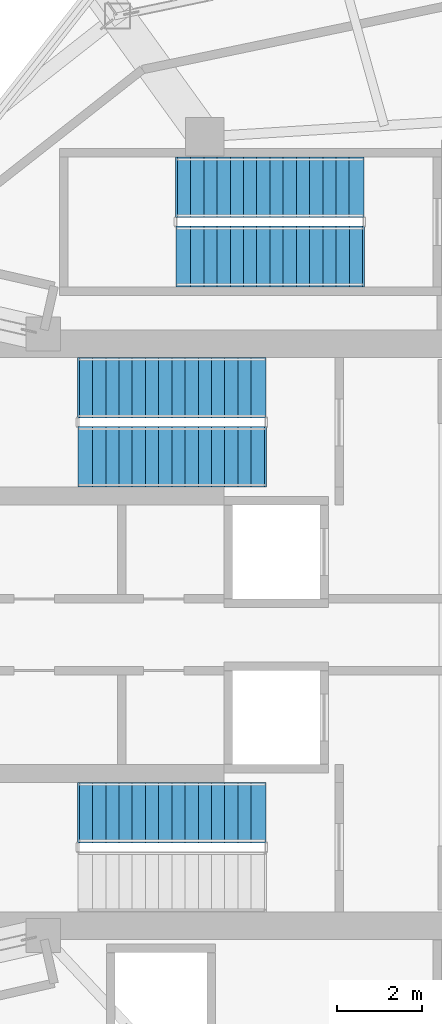
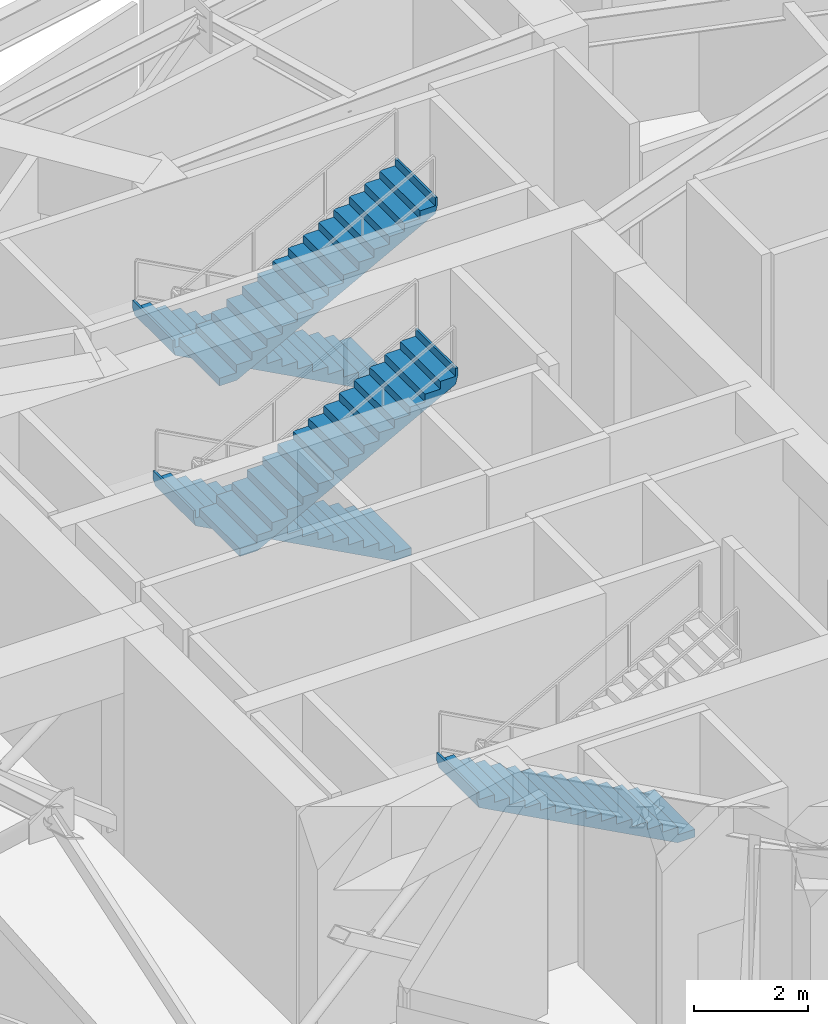
# One storey, part 11 of 13: 5 stair flights, 3 elements without a shape of their own.
"""IFC4 building model written with IfcOpenShell, lengths in metres."""

import ifcopenshell
import ifcopenshell.guid

model = None  # the IFC model being written
_history = None  # IfcOwnerHistory: only IFC2X3 demands one
_inside = {}  # id of a spatial element -> (the spatial element, [elements in it])
_under = {}  # id of a project, library or spatial element -> (it, [spatial elements below it])
_declared = {}  # id of a project -> (the project, [libraries it declares])
_typed = {}  # id of a type object -> (the type object, [elements of that type])
_made_of = {}  # id of a material, layer set ... -> (it, [elements and type objects made of it])


def new_model(schema):
    """Start an empty IFC model of exactly this schema.

    Asked for "IFC4X3", IfcOpenShell would pick the latest addendum, in which some entities
    have other attributes; the version numbers below select the first issue.
    IFC2X3 requires an IfcOwnerHistory on every rooted entity: one is made here for all.
    """
    global model, _history
    if schema == "IFC4X3":
        model = ifcopenshell.file(schema_version=(4, 3, 0, 0))
    else:
        model = ifcopenshell.file(schema=schema)
    _inside.clear()
    _under.clear()
    _declared.clear()
    _typed.clear()
    _made_of.clear()
    _history = None
    if model.schema == "IFC2X3":
        org = make("IfcOrganization", Name="unknown")
        user = make(
            "IfcPersonAndOrganization",
            ThePerson=make("IfcPerson", FamilyName="unknown"),
            TheOrganization=org,
        )
        app = make(
            "IfcApplication",
            ApplicationDeveloper=org,
            Version="unknown",
            ApplicationFullName="unknown",
            ApplicationIdentifier="unknown",
        )
        _history = make(
            "IfcOwnerHistory",
            OwningUser=user,
            OwningApplication=app,
            ChangeAction="ADDED",
            CreationDate=0,
        )
    return model


def make(cls, **values):
    """One entity of the class cls with the attributes given. An attribute that is None is left unset."""
    return model.create_entity(
        cls, **{name: value for name, value in values.items() if value is not None}
    )


def rooted(cls, **values):
    """An entity with a GlobalId (a new one), such as an element, a storey or a relation."""
    return make(cls, GlobalId=ifcopenshell.guid.new(), OwnerHistory=_history, **values)


def si_unit(unit_type, name, prefix=None):
    """IfcSIUnit, for example si_unit("LENGTHUNIT", "METRE", prefix="MILLI")."""
    return make("IfcSIUnit", UnitType=unit_type, Prefix=prefix, Name=name)


def assignment(units):
    """IfcUnitAssignment: the units of a project."""
    return None if units is None else make("IfcUnitAssignment", Units=units)


def point(xyz):
    """IfcCartesianPoint."""
    return None if xyz is None else make("IfcCartesianPoint", Coordinates=xyz)


def direction(xyz):
    """IfcDirection."""
    return None if xyz is None else make("IfcDirection", DirectionRatios=xyz)


def frame(location, z_axis=None, x_axis=None):
    """IfcAxis2Placement3D, a coordinate frame: its origin and axes. An axis left out is left unset."""
    return make(
        "IfcAxis2Placement3D",
        Location=point(location),
        Axis=direction(z_axis),
        RefDirection=direction(x_axis),
    )


def origin():
    """The frame at (0, 0, 0) with its axes left unset."""
    return frame((0.0, 0.0, 0.0))


def place(relative_to, where):
    """IfcLocalPlacement: puts the frame where relative to a parent placement (None: the world)."""
    return make(
        "IfcLocalPlacement", PlacementRelTo=relative_to, RelativePlacement=where
    )


def context(
    kind, dimensions, precision=None, world=None, true_north=None, identifier=None
):
    """IfcGeometricRepresentationContext, for example the 3D "Model" context."""
    return make(
        "IfcGeometricRepresentationContext",
        ContextIdentifier=identifier,
        ContextType=kind,
        CoordinateSpaceDimension=dimensions,
        Precision=precision,
        WorldCoordinateSystem=world,
        TrueNorth=true_north,
    )


def subcontext(parent, identifier, kind, view, scale=None):
    """IfcGeometricRepresentationSubContext, for example "Body" below "Model"."""
    return make(
        "IfcGeometricRepresentationSubContext",
        ContextIdentifier=identifier,
        ContextType=kind,
        ParentContext=parent,
        TargetScale=scale,
        TargetView=view,
    )


def project(units=None, contexts=None):
    """IfcProject with its units and contexts."""
    return rooted(
        "IfcProject",
        Name="project",
        RepresentationContexts=contexts,
        UnitsInContext=assignment(units),
    )


def spatial(cls, under=None, at=None, **own):
    """A site, building, storey or space (cls), placed at a placement, below another one or the project."""
    s = rooted(cls, ObjectPlacement=at, **own)
    if under is not None:
        _under.setdefault(under.id(), (under, []))[1].append(s)
    return s


def polyline(points):
    """IfcPolyline through the points."""
    return make("IfcPolyline", Points=[point(p) for p in points])


def outline(outer, holes=None, kind="AREA"):
    """IfcArbitraryClosedProfileDef: a profile drawn as a closed curve; with holes, ...WithVoids."""
    if holes is None:
        return make("IfcArbitraryClosedProfileDef", ProfileType=kind, OuterCurve=outer)
    return make(
        "IfcArbitraryProfileDefWithVoids",
        ProfileType=kind,
        OuterCurve=outer,
        InnerCurves=holes,
    )


def extrude(swept, where, along, depth):
    """IfcExtrudedAreaSolid: the profile swept, set in the frame where, extruded along a direction by depth."""
    return make(
        "IfcExtrudedAreaSolid",
        SweptArea=swept,
        Position=where,
        ExtrudedDirection=direction(along),
        Depth=depth,
    )


def shape(context_of_items, identifier, shape_type, items):
    """IfcShapeRepresentation: the items that make up one representation, for example the "Body"."""
    return make(
        "IfcShapeRepresentation",
        ContextOfItems=context_of_items,
        RepresentationIdentifier=identifier,
        RepresentationType=shape_type,
        Items=items,
    )


def material(Name=None, Category=None):
    """IfcMaterial."""
    return make("IfcMaterial", Name=Name, Category=Category)


def made_of(thing, what):
    """Note that an element or type object is made of a material, layer set ...; save() writes the relation."""
    if what is not None:
        _made_of.setdefault(what.id(), (what, []))[1].append(thing)
    return thing


def type_object(cls, material=None, **own):
    """A type object (cls), such as IfcWallType, which elements share."""
    return made_of(rooted(cls, **own), material)


def element(
    cls,
    number,
    at=None,
    inside=None,
    cuts=None,
    type_object=None,
    material=None,
    context=None,
    identifier="Body",
    shape_type=None,
    held_by="IfcProductDefinitionShape",
    body=None,
    shapes=None,
    **own,
):
    """One element of the class cls, such as IfcWall. Its Tag is "e" and its number.

    at: its placement. inside: the storey or other place that contains it. cuts: it is an
    opening in that element (IfcRelVoidsElement). A single representation is given by context,
    identifier, shape_type and body (its items); several are given by shapes. held_by: the class
    of the entity that holds the representations. save() writes the other relations.
    """
    e = rooted(cls, Tag="e%d" % number, ObjectPlacement=at, **own)
    if body is not None:
        shapes = [shape(context, identifier, shape_type, body)]
    if shapes is not None:
        e.Representation = make(held_by, Representations=shapes)
    if inside is not None:
        _inside.setdefault(inside.id(), (inside, []))[1].append(e)
    if cuts is not None:
        rooted(
            "IfcRelVoidsElement", RelatingBuildingElement=cuts, RelatedOpeningElement=e
        )
    if type_object is not None:
        _typed.setdefault(type_object.id(), (type_object, []))[1].append(e)
    return made_of(e, material)


def aggregate(whole, parts):
    """IfcRelAggregates: a whole, such as a stair, and the parts it consists of."""
    return rooted("IfcRelAggregates", RelatingObject=whole, RelatedObjects=parts)


def save(model, path):
    """Write the relations noted so far, then the file.

    IfcRelAggregates (storeys below a building ...), IfcRelContainedInSpatialStructure (elements
    in a storey), IfcRelDefinesByType, IfcRelAssociatesMaterial and IfcRelDeclares: one each for
    every whole, place, type object, material and project.
    """
    for whole, parts in _under.values():
        aggregate(whole, parts)
    for where, things in _inside.values():
        rooted(
            "IfcRelContainedInSpatialStructure",
            RelatedElements=things,
            RelatingStructure=where,
        )
    for kind, things in _typed.values():
        rooted("IfcRelDefinesByType", RelatedObjects=things, RelatingType=kind)
    for what, things in _made_of.values():
        rooted("IfcRelAssociatesMaterial", RelatedObjects=things, RelatingMaterial=what)
    for by, libraries in _declared.values():
        rooted("IfcRelDeclares", RelatingContext=by, RelatedDefinitions=libraries)
    model.write(path)


model = new_model("IFC4")

# Units and contexts
model_context = context("Model", 3, precision=1e-05, world=origin(), true_north=direction((0.0, 1.0)))
body_context = subcontext(model_context, "Body", "Model", "MODEL_VIEW")
ifc_project = project(units=[si_unit("LENGTHUNIT", "METRE"), si_unit("AREAUNIT", "SQUARE_METRE"), si_unit("VOLUMEUNIT", "CUBIC_METRE"), si_unit("PLANEANGLEUNIT", "RADIAN"), si_unit("MASSUNIT", "GRAM", prefix="KILO")], contexts=[model_context])

# Site, building, storey
site_placement = place(None, origin())
site = spatial("IfcSite", under=ifc_project, at=site_placement, CompositionType="ELEMENT")
building_placement = place(site_placement, origin())
building = spatial("IfcBuilding", under=site, at=building_placement, Name="Kolvaren Gate Tower and Convention Centre", CompositionType="ELEMENT")
storey_placement = place(building_placement, frame((0.0, 0.0, 186.89990234375)))
storey = spatial("IfcBuildingStorey", under=building, at=storey_placement, Name="L49", CompositionType="ELEMENT", Elevation=186.89990234375)

# Stair, stair flights
ifc_material = material(Name="Concrete C50/60", Category="concrete")
stair_type = type_object("IfcStairType", Name="STR-STAIR-CORE", PredefinedType="HALF_TURN_STAIR", material=ifc_material)
stair_1_placement = place(storey_placement, origin())
stair_1 = element("IfcStair", 1, at=stair_1_placement, inside=storey, type_object=stair_type, Name="L49 Tower North Exit Stair ST-T1", PredefinedType="HALF_TURN_STAIR")
stair_flight_type = type_object("IfcStairFlightType", Name="STR-SFL-1420", PredefinedType="STRAIGHT", material=ifc_material)
stair_flight_1_placement = place(storey_placement, frame((23.10009765625, 32.7900390625, 0.0), z_axis=(0.0, 0.0, 1.0), x_axis=(-1.0, 0.0, 0.0)))
stair_flight_1 = element("IfcStairFlight", 2, at=stair_flight_1_placement, type_object=stair_flight_type, Name="ST-T1 flight 1", NumberOfRisers=15, NumberOfTreads=14, PredefinedType="STRAIGHT", RiserHeight=0.166666667, TreadLength=0.31, context=body_context, shape_type="SweptSolid", body=[
    extrude(outline(polyline([(-0.034912109375, 0.0), (-0.034912109375, 0.166748046875), (0.31005859375, 0.166748046875), (0.31005859375, 0.333251953125), (0.6201171875, 0.333251953125), (0.6201171875, 0.5), (0.929931640625, 0.5), (0.929931640625, 0.666748046875), (1.239990234375, 0.666748046875), (1.239990234375, 0.833251953125), (1.550048828125, 0.833251953125), (1.550048828125, 1.0), (1.860107421875, 1.0), (1.860107421875, 1.166748046875), (2.169921875, 1.166748046875), (2.169921875, 1.333251953125), (2.47998046875, 1.333251953125), (2.47998046875, 1.5), (2.7900390625, 1.5), (2.7900390625, 1.666748046875), (3.10009765625, 1.666748046875), (3.10009765625, 1.833251953125), (3.409912109375, 1.833251953125), (3.409912109375, 2.0), (3.719970703125, 2.0), (3.719970703125, 2.166748046875), (4.030029296875, 2.166748046875), (4.030029296875, 2.333251953125), (4.340087890625, 2.333251953125), (4.340087890625, 2.5), (4.385009765625, 2.5), (4.385009765625, 2.340087890625), (4.340087890625, 2.1630859375), (0.316650390625, 0.0), (-0.034912109375, 0.0)])), frame((0.0, 0.7099609375, 0.0), z_axis=(0.0, -1.0, 0.0), x_axis=(1.0, 0.0, 0.0)), (0.0, 0.0, 1.0), 1.419921875),
])
stair_flight_2_placement = place(storey_placement, frame((18.760009765625, 31.169921875, 2.5), z_axis=(0.0, 0.0, 1.0), x_axis=(1.0, 0.0, 0.0)))
stair_flight_2 = element("IfcStairFlight", 3, at=stair_flight_2_placement, type_object=stair_flight_type, Name="ST-T1 flight 2", NumberOfRisers=15, NumberOfTreads=14, PredefinedType="STRAIGHT", RiserHeight=0.166666667, TreadLength=0.31, context=body_context, shape_type="SweptSolid", body=[
    extrude(outline(polyline([(-0.034912109375, 0.0), (-0.034912109375, 0.166748046875), (0.31005859375, 0.166748046875), (0.31005859375, 0.333251953125), (0.6201171875, 0.333251953125), (0.6201171875, 0.5), (0.929931640625, 0.5), (0.929931640625, 0.666748046875), (1.239990234375, 0.666748046875), (1.239990234375, 0.833251953125), (1.550048828125, 0.833251953125), (1.550048828125, 1.0), (1.860107421875, 1.0), (1.860107421875, 1.166748046875), (2.169921875, 1.166748046875), (2.169921875, 1.333251953125), (2.47998046875, 1.333251953125), (2.47998046875, 1.5), (2.7900390625, 1.5), (2.7900390625, 1.666748046875), (3.10009765625, 1.666748046875), (3.10009765625, 1.833251953125), (3.409912109375, 1.833251953125), (3.409912109375, 2.0), (3.719970703125, 2.0), (3.719970703125, 2.166748046875), (4.030029296875, 2.166748046875), (4.030029296875, 2.333251953125), (4.340087890625, 2.333251953125), (4.340087890625, 2.5), (4.385009765625, 2.5), (4.385009765625, 2.340087890625), (4.340087890625, 2.1630859375), (0.316650390625, 0.0), (-0.034912109375, 0.0)])), frame((0.0, 0.7099609375, 0.0), z_axis=(0.0, -1.0, 0.0), x_axis=(1.0, 0.0, 0.0)), (0.0, 0.0, 1.0), 1.419921875),
])
aggregate(stair_1, [stair_flight_1, stair_flight_2])

# Stair, stair flight
stair_2_placement = place(storey_placement, origin())
stair_2 = element("IfcStair", 4, at=stair_2_placement, inside=storey, type_object=stair_type, Name="L49 Tower South Exit Stair ST-T2", PredefinedType="HALF_TURN_STAIR")
stair_flight_3_placement = place(storey_placement, frame((23.10009765625, 22.830078125, 0.0), z_axis=(0.0, 0.0, 1.0), x_axis=(-1.0, 0.0, 0.0)))
stair_flight_3 = element("IfcStairFlight", 5, at=stair_flight_3_placement, type_object=stair_flight_type, Name="ST-T2 flight 1", NumberOfRisers=15, NumberOfTreads=14, PredefinedType="STRAIGHT", RiserHeight=0.166666667, TreadLength=0.31, context=body_context, shape_type="SweptSolid", body=[
    extrude(outline(polyline([(-0.034912109375, 0.0), (-0.034912109375, 0.166748046875), (0.31005859375, 0.166748046875), (0.31005859375, 0.333251953125), (0.6201171875, 0.333251953125), (0.6201171875, 0.5), (0.929931640625, 0.5), (0.929931640625, 0.666748046875), (1.239990234375, 0.666748046875), (1.239990234375, 0.833251953125), (1.550048828125, 0.833251953125), (1.550048828125, 1.0), (1.860107421875, 1.0), (1.860107421875, 1.166748046875), (2.169921875, 1.166748046875), (2.169921875, 1.333251953125), (2.47998046875, 1.333251953125), (2.47998046875, 1.5), (2.7900390625, 1.5), (2.7900390625, 1.666748046875), (3.10009765625, 1.666748046875), (3.10009765625, 1.833251953125), (3.409912109375, 1.833251953125), (3.409912109375, 2.0), (3.719970703125, 2.0), (3.719970703125, 2.166748046875), (4.030029296875, 2.166748046875), (4.030029296875, 2.333251953125), (4.340087890625, 2.333251953125), (4.340087890625, 2.5), (4.385009765625, 2.5), (4.385009765625, 2.340087890625), (4.340087890625, 2.1630859375), (0.316650390625, 0.0), (-0.034912109375, 0.0)])), frame((0.0, 0.7099609375, 0.0), z_axis=(0.0, -1.0, 0.0), x_axis=(1.0, 0.0, 0.0)), (0.0, 0.0, 1.0), 1.419921875),
])
aggregate(stair_2, [stair_flight_3])

# Stair, stair flights
stair_3_placement = place(storey_placement, origin())
stair_3 = element("IfcStair", 6, at=stair_3_placement, inside=storey, type_object=stair_type, Name="L49 Tower Mid-Zone Exit Stair ST-T3", PredefinedType="HALF_TURN_STAIR")
stair_flight_4_placement = place(storey_placement, frame((25.39990234375, 37.489990234375, 0.0), z_axis=(0.0, 0.0, 1.0), x_axis=(-1.0, 0.0, 0.0)))
stair_flight_4 = element("IfcStairFlight", 7, at=stair_flight_4_placement, type_object=stair_flight_type, Name="ST-T3 flight 1", NumberOfRisers=15, NumberOfTreads=14, PredefinedType="STRAIGHT", RiserHeight=0.166666667, TreadLength=0.31, context=body_context, shape_type="SweptSolid", body=[
    extrude(outline(polyline([(-0.034912109375, 0.0), (-0.034912109375, 0.166748046875), (0.31005859375, 0.166748046875), (0.31005859375, 0.333251953125), (0.6201171875, 0.333251953125), (0.6201171875, 0.5), (0.929931640625, 0.5), (0.929931640625, 0.666748046875), (1.239990234375, 0.666748046875), (1.239990234375, 0.833251953125), (1.550048828125, 0.833251953125), (1.550048828125, 1.0), (1.860107421875, 1.0), (1.860107421875, 1.166748046875), (2.169921875, 1.166748046875), (2.169921875, 1.333251953125), (2.47998046875, 1.333251953125), (2.47998046875, 1.5), (2.7900390625, 1.5), (2.7900390625, 1.666748046875), (3.10009765625, 1.666748046875), (3.10009765625, 1.833251953125), (3.409912109375, 1.833251953125), (3.409912109375, 2.0), (3.719970703125, 2.0), (3.719970703125, 2.166748046875), (4.030029296875, 2.166748046875), (4.030029296875, 2.333251953125), (4.340087890625, 2.333251953125), (4.340087890625, 2.5), (4.385009765625, 2.5), (4.385009765625, 2.340087890625), (4.340087890625, 2.1630859375), (0.316650390625, 0.0), (-0.034912109375, 0.0)])), frame((0.0, 0.7099609375, 0.0), z_axis=(0.0, -1.0, 0.0), x_axis=(1.0, 0.0, 0.0)), (0.0, 0.0, 1.0), 1.419921875),
])
stair_flight_5_placement = place(storey_placement, frame((21.06005859375, 35.8701171875, 2.5), z_axis=(0.0, 0.0, 1.0), x_axis=(1.0, 0.0, 0.0)))
stair_flight_5 = element("IfcStairFlight", 8, at=stair_flight_5_placement, type_object=stair_flight_type, Name="ST-T3 flight 2", NumberOfRisers=15, NumberOfTreads=14, PredefinedType="STRAIGHT", RiserHeight=0.166666667, TreadLength=0.31, context=body_context, shape_type="SweptSolid", body=[
    extrude(outline(polyline([(-0.034912109375, 0.0), (-0.034912109375, 0.166748046875), (0.31005859375, 0.166748046875), (0.31005859375, 0.333251953125), (0.6201171875, 0.333251953125), (0.6201171875, 0.5), (0.929931640625, 0.5), (0.929931640625, 0.666748046875), (1.239990234375, 0.666748046875), (1.239990234375, 0.833251953125), (1.550048828125, 0.833251953125), (1.550048828125, 1.0), (1.860107421875, 1.0), (1.860107421875, 1.166748046875), (2.169921875, 1.166748046875), (2.169921875, 1.333251953125), (2.47998046875, 1.333251953125), (2.47998046875, 1.5), (2.7900390625, 1.5), (2.7900390625, 1.666748046875), (3.10009765625, 1.666748046875), (3.10009765625, 1.833251953125), (3.409912109375, 1.833251953125), (3.409912109375, 2.0), (3.719970703125, 2.0), (3.719970703125, 2.166748046875), (4.030029296875, 2.166748046875), (4.030029296875, 2.333251953125), (4.340087890625, 2.333251953125), (4.340087890625, 2.5), (4.385009765625, 2.5), (4.385009765625, 2.340087890625), (4.340087890625, 2.1630859375), (0.316650390625, 0.0), (-0.034912109375, 0.0)])), frame((0.0, 0.7099609375, 0.0), z_axis=(0.0, -1.0, 0.0), x_axis=(1.0, 0.0, 0.0)), (0.0, 0.0, 1.0), 1.419921875),
])
aggregate(stair_3, [stair_flight_4, stair_flight_5])

save(model, "model.ifc")
